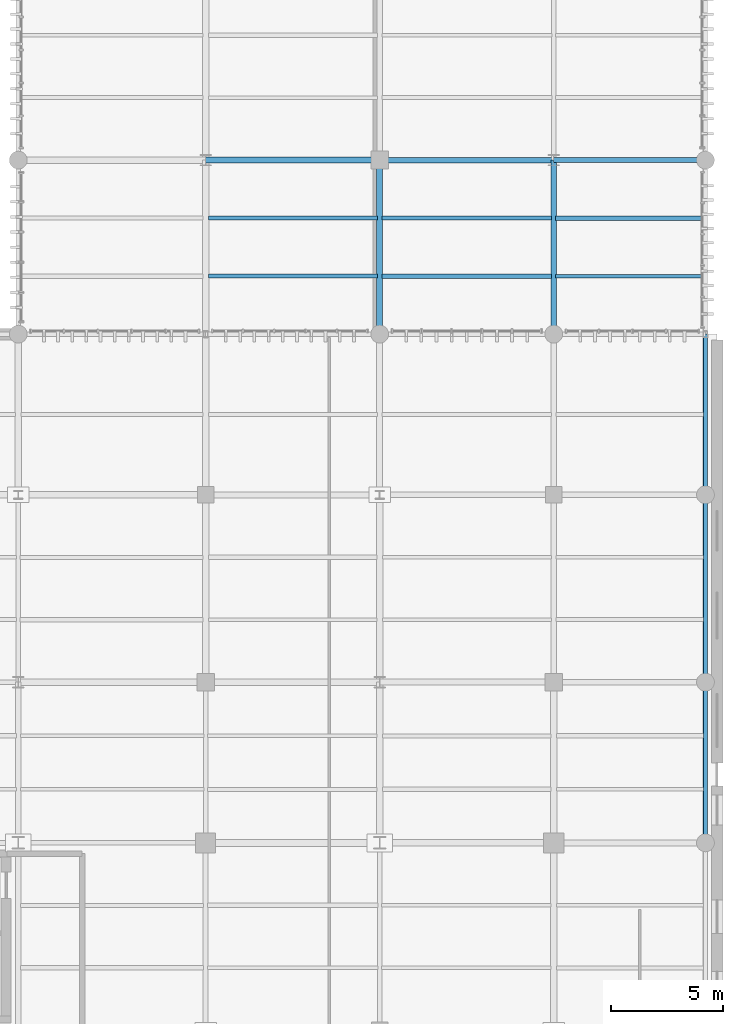
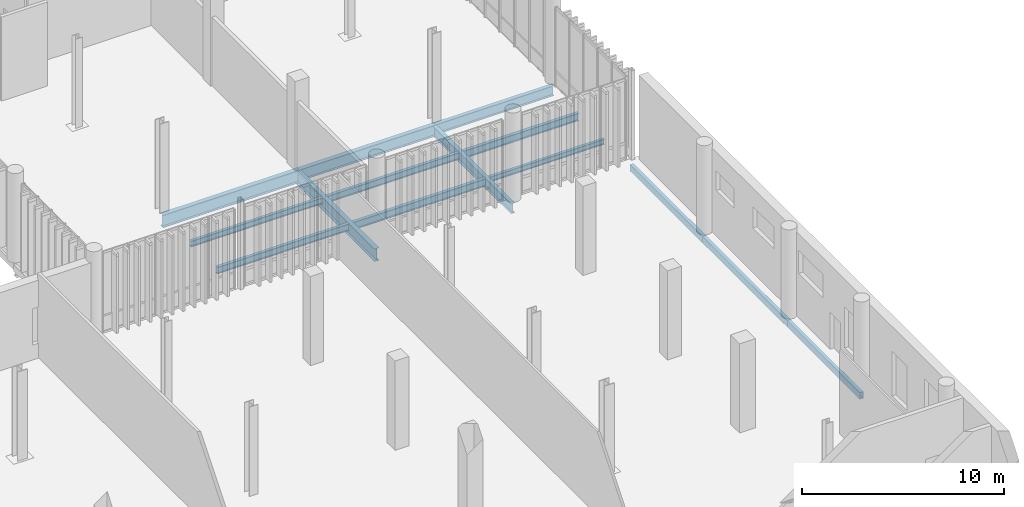
# One storey, part 60 of 112: 14 beams.
"""IFC4 building model written with IfcOpenShell, lengths in metres."""

from ifc_helpers import new_model, si_unit, direction, frame, origin_with_axes, origin_2d_with_axis, place, context, subcontext, project, spatial, hollow_rectangle, i_section, extrude, material, material_profile, profile_set, type_object, element, save


model = new_model("IFC4")

# Units and contexts
model_context = context("Model", 3, precision=1e-05, world=origin_with_axes(), true_north=direction((0.0, 1.0)))
body_context = subcontext(model_context, "Body", "Model", "MODEL_VIEW")
ifc_project = project(units=[si_unit("LENGTHUNIT", "METRE"), si_unit("AREAUNIT", "SQUARE_METRE"), si_unit("VOLUMEUNIT", "CUBIC_METRE"), si_unit("PLANEANGLEUNIT", "RADIAN"), si_unit("MASSUNIT", "GRAM", prefix="KILO"), si_unit("THERMODYNAMICTEMPERATUREUNIT", "KELVIN")], contexts=[model_context])

# Site, building, storey
site_placement = place(None, origin_with_axes())
site = spatial("IfcSite", under=ifc_project, at=site_placement, CompositionType="ELEMENT")
building_placement = place(site_placement, origin_with_axes())
building = spatial("IfcBuilding", under=site, at=building_placement, Name="Montbau Bow Law Courts", CompositionType="ELEMENT")
storey_placement = place(building_placement, origin_with_axes())
storey = spatial("IfcBuildingStorey", under=building, at=storey_placement, Name="L00", CompositionType="ELEMENT", Elevation=0.0)

# Beams
ifc_material_1 = material(Name="Steel CSA G40.21 Grade 350W (350 MPa)", Category="steel")
ifc_material_profile_1 = material_profile(ifc_material_1, i_section(OverallWidth=0.267, OverallDepth=0.766, WebThickness=0.0149, FlangeThickness=0.0236, at=origin_2d_with_axis()), Name="W760X185", Category="Main", Priority=0)
ifc_profile_set_1 = profile_set([ifc_material_profile_1], Name="Steel CSA G40.21 Grade 350W (350 MPa)")
beam_type_1 = type_object("IfcBeamType", Name="B-FLR-03", PredefinedType="BEAM", material=ifc_profile_set_1)
for number, where, z_axis, x_axis, name in (
    (1, (147.0, 69.6, -0.643), (1.0, 0.0, 0.0), (0.0, 1.0, 0.0), "BM-L00-S0404:bm2_0407"),
    (2, (154.8, 61.8, -0.723), (0.0, 1.0, 0.0), (-1.0, 0.0, 0.0), "BM-L00-S0445:bm2_0448"),
):
    element("IfcBeam", number, at=place(None, frame(where, z_axis=z_axis, x_axis=x_axis)), inside=storey, type_object=beam_type_1, Name=name, PredefinedType="BEAM", context=body_context, shape_type="SweptSolid", body=[
        extrude(i_section(OverallWidth=0.267, OverallDepth=0.766, WebThickness=0.0149, FlangeThickness=0.0236, at=origin_2d_with_axis()), origin_with_axes(), (0.0, 0.0, 1.0), 7.8),
    ])
ifc_material_profile_2 = material_profile(ifc_material_1, i_section(OverallWidth=0.254, OverallDepth=0.688, WebThickness=0.0131, FlangeThickness=0.0211, at=origin_2d_with_axis()), Name="W690X152", Category="Main", Priority=0)
ifc_profile_set_2 = profile_set([ifc_material_profile_2], Name="Steel CSA G40.21 Grade 350W (350 MPa)")
beam_type_2 = type_object("IfcBeamType", Name="B-FLR-04", PredefinedType="BEAM", material=ifc_profile_set_2)
beam_1_placement = place(None, frame((154.8, 69.6, -0.604), z_axis=(1.0, 0.0, 0.0), x_axis=(0.0, 1.0, 0.0)))
element("IfcBeam", 3, at=beam_1_placement, inside=storey, type_object=beam_type_2, Name="BM-L00-S0405:bm2_0408", PredefinedType="BEAM", context=body_context, shape_type="SweptSolid", body=[
    extrude(i_section(OverallWidth=0.254, OverallDepth=0.688, WebThickness=0.0131, FlangeThickness=0.0211, at=origin_2d_with_axis()), origin_with_axes(), (0.0, 0.0, 1.0), 7.8),
])
ifc_material_profile_3 = material_profile(ifc_material_1, i_section(OverallWidth=0.229, OverallDepth=0.612, WebThickness=0.0119, FlangeThickness=0.0196, at=origin_2d_with_axis()), Name="W610X125", Category="Main", Priority=0)
ifc_profile_set_3 = profile_set([ifc_material_profile_3], Name="Steel CSA G40.21 Grade 350W (350 MPa)")
beam_type_3 = type_object("IfcBeamType", Name="B-FLR-05", PredefinedType="BEAM", material=ifc_profile_set_3)
beam_2_placement = place(None, frame((162.6, 69.6, -0.566), z_axis=(1.0, 0.0, 0.0), x_axis=(0.0, 1.0, 0.0)))
element("IfcBeam", 4, at=beam_2_placement, inside=storey, type_object=beam_type_3, Name="BM-L00-S0406:bm2_0409", PredefinedType="BEAM", context=body_context, shape_type="SweptSolid", body=[
    extrude(i_section(OverallWidth=0.229, OverallDepth=0.612, WebThickness=0.0119, FlangeThickness=0.0196, at=origin_2d_with_axis()), origin_with_axes(), (0.0, 0.0, 1.0), 6.8),
])
beam_3_placement = place(None, frame((162.6, 61.8, -0.646), z_axis=(0.0, 1.0, 0.0), x_axis=(-1.0, 0.0, 0.0)))
element("IfcBeam", 5, at=beam_3_placement, inside=storey, type_object=beam_type_3, Name="BM-L00-S0452:bm2_0455", PredefinedType="BEAM", context=body_context, shape_type="SweptSolid", body=[
    extrude(i_section(OverallWidth=0.229, OverallDepth=0.612, WebThickness=0.0119, FlangeThickness=0.0196, at=origin_2d_with_axis()), origin_with_axes(), (0.0, 0.0, 1.0), 7.8),
])
ifc_material_profile_4 = material_profile(ifc_material_1, i_section(OverallWidth=0.191, OverallDepth=0.46, WebThickness=0.0099, FlangeThickness=0.016, at=origin_2d_with_axis()), Name="W460X82", Category="Main", Priority=0)
ifc_profile_set_4 = profile_set([ifc_material_profile_4], Name="Steel CSA G40.21 Grade 350W (350 MPa)")
beam_type_4 = type_object("IfcBeamType", Name="B-JST-01", PredefinedType="JOIST", material=ifc_profile_set_4)
beam_4_placement = place(None, frame((154.91, 64.4, -0.57), z_axis=(1.0, 0.0, 0.0), x_axis=(0.0, 1.0, 0.0)))
element("IfcBeam", 6, at=beam_4_placement, inside=storey, type_object=beam_type_4, Name="JST-L00-S0204:jst2_0204", PredefinedType="JOIST", context=body_context, shape_type="SweptSolid", body=[
    extrude(i_section(OverallWidth=0.191, OverallDepth=0.46, WebThickness=0.0099, FlangeThickness=0.016, at=origin_2d_with_axis()), origin_with_axes(), (0.0, 0.0, 1.0), 7.6),
])
beam_5_placement = place(None, frame((162.69, 67.0, -0.57), z_axis=(1.0, 0.0, 0.0), x_axis=(0.0, 1.0, 0.0)))
element("IfcBeam", 7, at=beam_5_placement, inside=storey, type_object=beam_type_4, Name="JST-L00-S0216:jst2_0216", PredefinedType="JOIST", context=body_context, shape_type="SweptSolid", body=[
    extrude(i_section(OverallWidth=0.191, OverallDepth=0.46, WebThickness=0.0099, FlangeThickness=0.016, at=origin_2d_with_axis()), origin_with_axes(), (0.0, 0.0, 1.0), 6.63),
])
ifc_material_profile_5 = material_profile(ifc_material_1, i_section(OverallWidth=0.179, OverallDepth=0.41, WebThickness=0.0088, FlangeThickness=0.0144, at=origin_2d_with_axis()), Name="W410X67", Category="Main", Priority=0)
ifc_profile_set_5 = profile_set([ifc_material_profile_5], Name="Steel CSA G40.21 Grade 350W (350 MPa)")
beam_type_5 = type_object("IfcBeamType", Name="B-JST-02", PredefinedType="JOIST", material=ifc_profile_set_5)
beam_6_placement = place(None, frame((147.129, 64.4, -0.545), z_axis=(1.0, 0.0, 0.0), x_axis=(0.0, 1.0, 0.0)))
element("IfcBeam", 8, at=beam_6_placement, inside=storey, type_object=beam_type_5, Name="JST-L00-S0193:jst2_0193", PredefinedType="JOIST", context=body_context, shape_type="SweptSolid", body=[
    extrude(i_section(OverallWidth=0.179, OverallDepth=0.41, WebThickness=0.0088, FlangeThickness=0.0144, at=origin_2d_with_axis()), origin_with_axes(), (0.0, 0.0, 1.0), 7.562),
])
beam_7_placement = place(None, frame((154.91, 67.0, -0.545), z_axis=(1.0, 0.0, 0.0), x_axis=(0.0, 1.0, 0.0)))
element("IfcBeam", 9, at=beam_7_placement, inside=storey, type_object=beam_type_5, Name="JST-L00-S0205:jst2_0205", PredefinedType="JOIST", context=body_context, shape_type="SweptSolid", body=[
    extrude(i_section(OverallWidth=0.179, OverallDepth=0.41, WebThickness=0.0088, FlangeThickness=0.0144, at=origin_2d_with_axis()), origin_with_axes(), (0.0, 0.0, 1.0), 7.6),
])
ifc_material_profile_6 = material_profile(ifc_material_1, i_section(OverallWidth=0.172, OverallDepth=0.358, WebThickness=0.0079, FlangeThickness=0.0131, at=origin_2d_with_axis()), Name="W360X57", Category="Main", Priority=0)
ifc_profile_set_6 = profile_set([ifc_material_profile_6], Name="Steel CSA G40.21 Grade 350W (350 MPa)")
beam_type_6 = type_object("IfcBeamType", Name="B-JST-03", PredefinedType="JOIST", material=ifc_profile_set_6)
beam_8_placement = place(None, frame((147.129, 67.0, -0.519), z_axis=(1.0, 0.0, 0.0), x_axis=(0.0, 1.0, 0.0)))
element("IfcBeam", 10, at=beam_8_placement, inside=storey, type_object=beam_type_6, Name="JST-L00-S0194:jst2_0194", PredefinedType="JOIST", context=body_context, shape_type="SweptSolid", body=[
    extrude(i_section(OverallWidth=0.172, OverallDepth=0.358, WebThickness=0.0079, FlangeThickness=0.0131, at=origin_2d_with_axis()), origin_with_axes(), (0.0, 0.0, 1.0), 7.562),
])
ifc_material_profile_7 = material_profile(ifc_material_1, i_section(OverallWidth=0.166, OverallDepth=0.313, WebThickness=0.0066, FlangeThickness=0.0112, at=origin_2d_with_axis()), Name="W310X45", Category="Main", Priority=0)
ifc_profile_set_7 = profile_set([ifc_material_profile_7], Name="Steel CSA G40.21 Grade 350W (350 MPa)")
beam_type_7 = type_object("IfcBeamType", Name="B-JST-04", PredefinedType="JOIST", material=ifc_profile_set_7)
beam_9_placement = place(None, frame((162.69, 64.4, -0.497), z_axis=(1.0, 0.0, 0.0), x_axis=(0.0, 1.0, 0.0)))
element("IfcBeam", 11, at=beam_9_placement, inside=storey, type_object=beam_type_7, Name="JST-L00-S0215:jst2_0215", PredefinedType="JOIST", context=body_context, shape_type="SweptSolid", body=[
    extrude(i_section(OverallWidth=0.166, OverallDepth=0.313, WebThickness=0.0066, FlangeThickness=0.0112, at=origin_2d_with_axis()), origin_with_axes(), (0.0, 0.0, 1.0), 6.63),
])
ifc_material_2 = material(Name="Steel CSA G40.21 Grade 350WT (350 MPa)", Category="steel")
ifc_material_profile_8 = material_profile(ifc_material_2, hollow_rectangle(XDim=0.203, YDim=0.406, WallThickness=0.0127, InnerFilletRadius=0.0254, OuterFilletRadius=0.0127, at=origin_2d_with_axis()), Name="HSS406X203X13", Category="Main", Priority=0)
ifc_profile_set_8 = profile_set([ifc_material_profile_8], Name="Steel CSA G40.21 Grade 350WT (350 MPa)")
beam_type_8 = type_object("IfcBeamType", Name="B-SPN-01", PredefinedType="SPANDREL", material=ifc_profile_set_8)
beam_10_placement = place(None, frame((169.4, 39.0, -0.543), z_axis=(0.0, 1.0, 0.0), x_axis=(-1.0, 0.0, 0.0)))
element("IfcBeam", 12, at=beam_10_placement, inside=storey, type_object=beam_type_8, Name="SPN-L00-S0400:bm2_0403", PredefinedType="SPANDREL", context=body_context, shape_type="SweptSolid", body=[
    extrude(hollow_rectangle(XDim=0.203, YDim=0.406, WallThickness=0.0127, InnerFilletRadius=0.0254, OuterFilletRadius=0.0127, at=origin_2d_with_axis()), origin_with_axes(), (0.0, 0.0, 1.0), 7.2),
])
beam_11_placement = place(None, frame((169.4, 46.2, -0.543), z_axis=(0.0, 1.0, 0.0), x_axis=(-1.0, 0.0, 0.0)))
element("IfcBeam", 13, at=beam_11_placement, inside=storey, type_object=beam_type_8, Name="SPN-L00-S0401:bm2_0404", PredefinedType="SPANDREL", context=body_context, shape_type="SweptSolid", body=[
    extrude(hollow_rectangle(XDim=0.203, YDim=0.406, WallThickness=0.0127, InnerFilletRadius=0.0254, OuterFilletRadius=0.0127, at=origin_2d_with_axis()), origin_with_axes(), (0.0, 0.0, 1.0), 8.4),
])
beam_12_placement = place(None, frame((169.4, 54.6, -0.543), z_axis=(0.0, 1.0, 0.0), x_axis=(-1.0, 0.0, 0.0)))
element("IfcBeam", 14, at=beam_12_placement, inside=storey, type_object=beam_type_8, Name="SPN-L00-S0402:bm2_0405", PredefinedType="SPANDREL", context=body_context, shape_type="SweptSolid", body=[
    extrude(hollow_rectangle(XDim=0.203, YDim=0.406, WallThickness=0.0127, InnerFilletRadius=0.0254, OuterFilletRadius=0.0127, at=origin_2d_with_axis()), origin_with_axes(), (0.0, 0.0, 1.0), 7.2),
])

save(model, "model.ifc")
